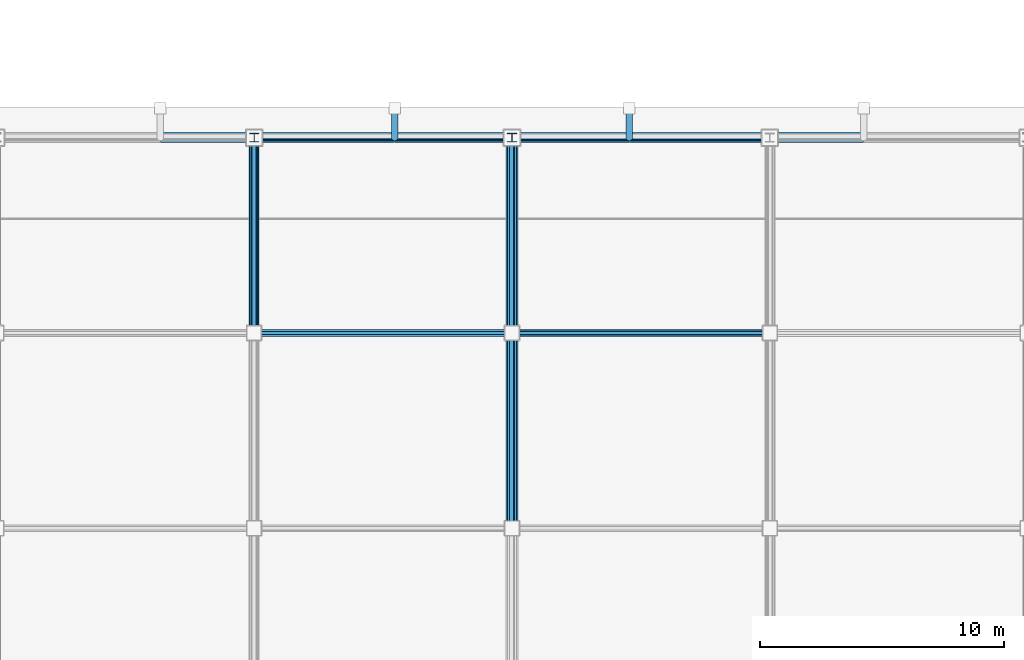
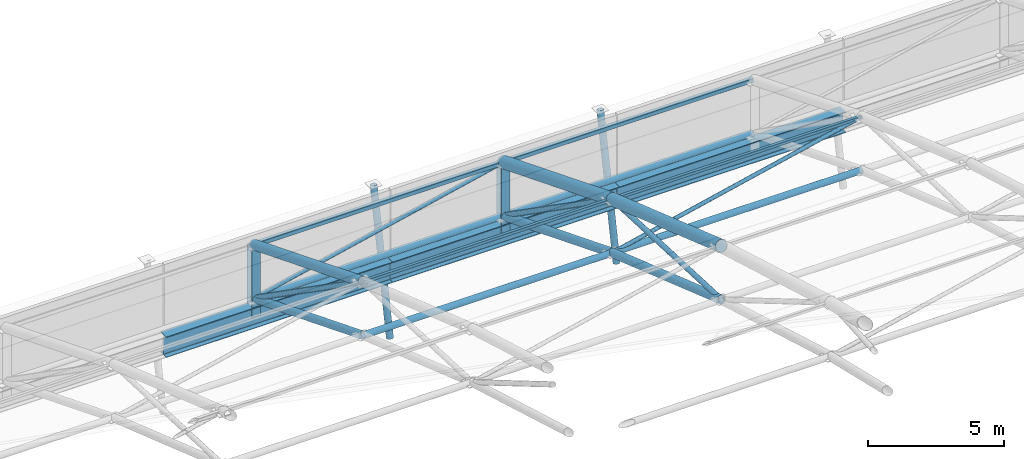
# One storey, part 23 of 42: 23 members, 3 beams.
"""IFC4 building model written with IfcOpenShell, lengths in metres."""

from ifc_helpers import new_model, si_unit, direction, frame, origin, origin_2d, place, context, subcontext, project, spatial, hollow_rectangle, hollow_circle, i_section, extrude, material, material_profile, profile_set, type_object, element, save


model = new_model("IFC4")

# Units and contexts
model_context = context("Model", 3, precision=1e-05, world=origin(), true_north=direction((0.0, 1.0)))
body_context = subcontext(model_context, "Body", "Model", "MODEL_VIEW")
ifc_project = project(units=[si_unit("LENGTHUNIT", "METRE"), si_unit("AREAUNIT", "SQUARE_METRE"), si_unit("VOLUMEUNIT", "CUBIC_METRE"), si_unit("PLANEANGLEUNIT", "RADIAN"), si_unit("MASSUNIT", "GRAM", prefix="KILO")], contexts=[model_context])

# Site, building, storey
site_placement = place(None, origin())
site = spatial("IfcSite", under=ifc_project, at=site_placement, CompositionType="ELEMENT")
building_placement = place(site_placement, origin())
building = spatial("IfcBuilding", under=site, at=building_placement, Name="Caelomonte Colonnade Arena", CompositionType="ELEMENT")
storey_placement = place(building_placement, frame((0.0, 0.0, 28.199951171875)))
storey = spatial("IfcBuildingStorey", under=building, at=storey_placement, Name="RF", CompositionType="ELEMENT", Elevation=28.199951171875)

# Beams
ifc_material_1 = material(Name="Wide-flange steel ASTM A992 Grade 50", Category="steel")
ifc_material_profile_1 = material_profile(ifc_material_1, i_section(OverallWidth=0.418212890625, OverallDepth=0.927001953125, WebThickness=0.019287109375, FlangeThickness=0.031982421875, FilletRadius=0.024169921875, at=origin_2d()), Name="W36X231")
ifc_profile_set_1 = profile_set([ifc_material_profile_1], Name="Wide-flange steel ASTM A992 Grade 50")
beam_type = type_object("IfcBeamType", Name="STR-BM-EAVES1", PredefinedType="SPANDREL", material=ifc_profile_set_1)
for number, where, z_axis, x_axis, name in (
    (1, (96.00830078125, 115.199951171875, -0.743408203125), (1.0, 0.0, 0.0), (0.0, 1.0, 0.0), "RF girder BMX-RF-0960-1152"),
    (2, (105.608154296875, 115.199951171875, -0.743408203125), (1.0, 0.0, 0.0), (0.0, 1.0, 0.0), "RF girder BMX-RF-1056-1152"),
    (3, (115.208251953125, 115.199951171875, -0.743408203125), (1.0, 0.0, 0.0), (0.0, 1.0, 0.0), "RF girder BMX-RF-1152-1152"),
):
    element("IfcBeam", number, at=place(storey_placement, frame(where, z_axis=z_axis, x_axis=x_axis)), inside=storey, type_object=beam_type, Name=name, PredefinedType="SPANDREL", context=body_context, shape_type="SweptSolid", body=[
        extrude(i_section(OverallWidth=0.418212890625, OverallDepth=0.927001953125, WebThickness=0.019287109375, FlangeThickness=0.031982421875, FilletRadius=0.024169921875, at=origin_2d()), origin(), (0.0, 0.0, 1.0), 9.58349609375),
    ])

# Members
ifc_material_profile_2 = material_profile(ifc_material_1, i_section(OverallWidth=0.368896484375, OverallDepth=0.356201171875, WebThickness=0.01123046875, FlangeThickness=0.01806640625, FilletRadius=0.01513671875, at=origin_2d()), Name="W14X90")
ifc_profile_set_2 = profile_set([ifc_material_profile_2], Name="Wide-flange steel ASTM A992 Grade 50")
member_type_1 = type_object("IfcMemberType", Name="STR-CAT-STR", PredefinedType="STRUT", material=ifc_profile_set_2)
for number, where, z_axis, x_axis, name in (
    (4, (99.840087890625, 115.199951171875, -0.699951171875), (0.0, 0.0, 1.0), (1.0, 0.0, 0.0), "Roof truss eaves bearing post 4-12"),
    (5, (110.39990234375, 115.199951171875, -0.699951171875), (0.0, 0.0, 1.0), (1.0, 0.0, 0.0), "Roof truss eaves bearing post 5-12"),
):
    element("IfcMember", number, at=place(storey_placement, frame(where, z_axis=z_axis, x_axis=x_axis)), inside=storey, type_object=member_type_1, Name=name, PredefinedType="STRUT", context=body_context, shape_type="SweptSolid", body=[
        extrude(i_section(OverallWidth=0.368896484375, OverallDepth=0.356201171875, WebThickness=0.01123046875, FlangeThickness=0.01806640625, FilletRadius=0.01513671875, at=origin_2d()), origin(), (0.0, 0.0, 1.0), 3.10009765625),
    ])
ifc_material_2 = material(Name="Steel ASTM A500 Grade C", Category="steel")
ifc_material_profile_3 = material_profile(ifc_material_2, hollow_circle(Radius=0.177734375, WallThickness=0.0126953125, at=origin_2d()), Name="CHS355.6X12.7")
ifc_profile_set_3 = profile_set([ifc_material_profile_3], Name="Steel ASTM A500 Grade C")
member_type_2 = type_object("IfcMemberType", Name="STR-SF-BC1", PredefinedType="CHORD", material=ifc_profile_set_3)
member_1_placement = place(storey_placement, frame((110.39990234375, 99.201904296875, 5.935302734375), z_axis=(0.0, 0.945655527912, -0.325170143971), x_axis=(-1.0, 0.0, 0.0)))
element("IfcMember", 6, at=member_1_placement, inside=storey, type_object=member_type_2, Name="Arched roof truss bottom chord 5-10", PredefinedType="CHORD", context=body_context, shape_type="SweptSolid", body=[
    extrude(hollow_circle(Radius=0.177734375, WallThickness=0.0126953125, at=origin_2d()), origin(), (0.0, 0.0, 1.0), 8.45556640625),
])
member_2_placement = place(storey_placement, frame((110.39990234375, 107.201904296875, 3.184326171875), z_axis=(0.0, 0.929070225575, -0.36990338732), x_axis=(-1.0, 0.0, 0.0)))
element("IfcMember", 7, at=member_2_placement, inside=storey, type_object=member_type_2, Name="Arched roof truss bottom chord 5-11", PredefinedType="CHORD", context=body_context, shape_type="SweptSolid", body=[
    extrude(hollow_circle(Radius=0.177734375, WallThickness=0.0126953125, at=origin_2d()), origin(), (0.0, 0.0, 1.0), 8.6064453125),
])
ifc_material_profile_4 = material_profile(ifc_material_2, hollow_circle(Radius=0.161865234375, WallThickness=0.010009765625, at=origin_2d()), Name="CHS323.9X10.0")
ifc_profile_set_4 = profile_set([ifc_material_profile_4], Name="Steel ASTM A500 Grade C")
member_type_3 = type_object("IfcMemberType", Name="STR-SF-BC2", PredefinedType="CHORD", material=ifc_profile_set_4)
member_3_placement = place(storey_placement, frame((99.840087890625, 107.201904296875, 3.184326171875), z_axis=(0.0, 0.929070225575, -0.36990338732), x_axis=(-1.0, 0.0, 0.0)))
element("IfcMember", 8, at=member_3_placement, inside=storey, type_object=member_type_3, Name="Arched roof truss bottom chord 4-11", PredefinedType="CHORD", context=body_context, shape_type="SweptSolid", body=[
    extrude(hollow_circle(Radius=0.161865234375, WallThickness=0.010009765625, at=origin_2d()), origin(), (0.0, 0.0, 1.0), 8.6064453125),
])
ifc_material_profile_5 = material_profile(ifc_material_2, hollow_rectangle(XDim=0.177734375, YDim=0.177734375, WallThickness=0.008056640625, InnerFilletRadius=0.008056640625, OuterFilletRadius=0.01611328125, at=origin_2d()), Name="HSS178X178X8.0")
ifc_profile_set_5 = profile_set([ifc_material_profile_5], Name="Steel ASTM A500 Grade C")
member_type_4 = type_object("IfcMemberType", Name="STR-SF-PUR1", PredefinedType="PURLIN", material=ifc_profile_set_5)
for number, where, z_axis, x_axis, name in (
    (9, (99.842041015625, 115.199951171875, 2.400146484375), (1.0, 0.0, 0.0), (0.0, 1.0, 0.0), "Arched roof purlin 4-12"),
    (10, (110.402099609375, 115.199951171875, 2.400146484375), (1.0, 0.0, 0.0), (0.0, 1.0, 0.0), "Arched roof purlin 5-12"),
):
    element("IfcMember", number, at=place(storey_placement, frame(where, z_axis=z_axis, x_axis=x_axis)), inside=storey, type_object=member_type_4, Name=name, PredefinedType="PURLIN", context=body_context, shape_type="SweptSolid", body=[
        extrude(hollow_rectangle(XDim=0.177734375, YDim=0.177734375, WallThickness=0.008056640625, InnerFilletRadius=0.008056640625, OuterFilletRadius=0.01611328125, at=origin_2d()), origin(), (0.0, 0.0, 1.0), 10.555908203125),
    ])
ifc_material_profile_6 = material_profile(ifc_material_2, hollow_rectangle(XDim=0.126953125, YDim=0.126953125, WallThickness=0.00634765625, InnerFilletRadius=0.00634765625, OuterFilletRadius=0.0126953125, at=origin_2d()), Name="HSS127X127X6.4")
ifc_profile_set_6 = profile_set([ifc_material_profile_6], Name="Steel ASTM A500 Grade C")
member_type_5 = type_object("IfcMemberType", Name="STR-SF-PUR3", PredefinedType="PURLIN", material=ifc_profile_set_6)
for number, where, z_axis, x_axis, name in (
    (11, (99.842041015625, 107.199951171875, 5.5849609375), (1.0, 0.0, 0.0), (0.0, 1.0, 0.0), "Arched roof purlin 4-11"),
    (12, (110.402099609375, 107.199951171875, 5.5849609375), (1.0, 0.0, 0.0), (0.0, 1.0, 0.0), "Arched roof purlin 5-11"),
):
    element("IfcMember", number, at=place(storey_placement, frame(where, z_axis=z_axis, x_axis=x_axis)), inside=storey, type_object=member_type_5, Name=name, PredefinedType="PURLIN", context=body_context, shape_type="SweptSolid", body=[
        extrude(hollow_rectangle(XDim=0.126953125, YDim=0.126953125, WallThickness=0.00634765625, InnerFilletRadius=0.00634765625, OuterFilletRadius=0.0126953125, at=origin_2d()), origin(), (0.0, 0.0, 1.0), 10.555908203125),
    ])
ifc_material_profile_7 = material_profile(ifc_material_2, hollow_circle(Radius=0.25390625, WallThickness=0.015869140625, at=origin_2d()), Name="CHS508X15.9")
ifc_profile_set_7 = profile_set([ifc_material_profile_7], Name="Steel ASTM A500 Grade C")
member_type_6 = type_object("IfcMemberType", Name="STR-SF-TC1", PredefinedType="CHORD", material=ifc_profile_set_7)
member_4_placement = place(storey_placement, frame((110.39990234375, 99.201904296875, 8.33544921875), z_axis=(0.0, 0.945646649159, -0.325195963895), x_axis=(-1.0, 0.0, 0.0)))
element("IfcMember", 13, at=member_4_placement, inside=storey, type_object=member_type_6, Name="Arched roof truss top chord 5-10", PredefinedType="CHORD", context=body_context, shape_type="SweptSolid", body=[
    extrude(hollow_circle(Radius=0.25390625, WallThickness=0.015869140625, at=origin_2d()), origin(), (0.0, 0.0, 1.0), 8.455810546875),
])
member_5_placement = place(storey_placement, frame((110.39990234375, 107.201904296875, 5.584228515625), z_axis=(0.0, 0.929070225575, -0.36990338732), x_axis=(-1.0, 0.0, 0.0)))
element("IfcMember", 14, at=member_5_placement, inside=storey, type_object=member_type_6, Name="Arched roof truss top chord 5-11", PredefinedType="CHORD", context=body_context, shape_type="SweptSolid", body=[
    extrude(hollow_circle(Radius=0.25390625, WallThickness=0.015869140625, at=origin_2d()), origin(), (0.0, 0.0, 1.0), 8.6064453125),
])
ifc_material_profile_8 = material_profile(ifc_material_2, hollow_circle(Radius=0.203125, WallThickness=0.0126953125, at=origin_2d()), Name="CHS406.4X12.7")
ifc_profile_set_8 = profile_set([ifc_material_profile_8], Name="Steel ASTM A500 Grade C")
member_type_7 = type_object("IfcMemberType", Name="STR-SF-TC2", PredefinedType="CHORD", material=ifc_profile_set_8)
member_6_placement = place(storey_placement, frame((99.840087890625, 107.201904296875, 5.584228515625), z_axis=(0.0, 0.929070225575, -0.36990338732), x_axis=(-1.0, 0.0, 0.0)))
element("IfcMember", 15, at=member_6_placement, inside=storey, type_object=member_type_7, Name="Arched roof truss top chord 4-11", PredefinedType="CHORD", context=body_context, shape_type="SweptSolid", body=[
    extrude(hollow_circle(Radius=0.203125, WallThickness=0.0126953125, at=origin_2d()), origin(), (0.0, 0.0, 1.0), 8.6064453125),
])
ifc_material_profile_9 = material_profile(ifc_material_2, hollow_circle(Radius=0.136474609375, WallThickness=0.00927734375, at=origin_2d()), Name="CHS273.0X9.3")
ifc_profile_set_9 = profile_set([ifc_material_profile_9], Name="Steel ASTM A500 Grade C")
member_type_8 = type_object("IfcMemberType", Name="STR-SF-TIE", PredefinedType="STRUT", material=ifc_profile_set_9)
for number, where, z_axis, x_axis, name in (
    (16, (99.842041015625, 107.199951171875, 3.18505859375), (1.0, 0.0, 0.0), (0.0, 1.0, 0.0), "Space frame roof tie strut 4-11"),
    (17, (99.842041015625, 115.199951171875, 0.0), (1.0, 0.0, 0.0), (0.0, 1.0, 0.0), "Space frame roof tie strut 4-12"),
    (18, (110.402099609375, 107.199951171875, 3.18505859375), (1.0, 0.0, 0.0), (0.0, 1.0, 0.0), "Space frame roof tie strut 5-11"),
    (19, (110.402099609375, 115.199951171875, 0.0), (1.0, 0.0, 0.0), (0.0, 1.0, 0.0), "Space frame roof tie strut 5-12"),
):
    element("IfcMember", number, at=place(storey_placement, frame(where, z_axis=z_axis, x_axis=x_axis)), inside=storey, type_object=member_type_8, Name=name, PredefinedType="STRUT", context=body_context, shape_type="SweptSolid", body=[
        extrude(hollow_circle(Radius=0.136474609375, WallThickness=0.00927734375, at=origin_2d()), origin(), (0.0, 0.0, 1.0), 10.555908203125),
    ])
for number, where, z_axis, x_axis, name in (
    (20, (105.60009765625, 115.200439453125, -3.7978515625), (0.0, 0.19151035942, 0.981490592026), (-1.0, 0.0, 0.0), "Roof eaves overhang inclined strut 16"),
    (21, (115.199951171875, 115.200439453125, -3.7978515625), (0.0, 0.19151035942, 0.981490592026), (-1.0, 0.0, 0.0), "Roof eaves overhang inclined strut 18"),
):
    element("IfcMember", number, at=place(storey_placement, frame(where, z_axis=z_axis, x_axis=x_axis)), inside=storey, type_object=member_type_8, Name=name, PredefinedType="STRUT", context=body_context, shape_type="SweptSolid", body=[
        extrude(hollow_circle(Radius=0.136474609375, WallThickness=0.00927734375, at=origin_2d()), origin(), (0.0, 0.0, 1.0), 6.261962890625),
    ])
ifc_material_profile_10 = material_profile(ifc_material_2, hollow_circle(Radius=0.109619140625, WallThickness=0.00830078125, at=origin_2d()), Name="CHS219.1X8.2")
ifc_profile_set_10 = profile_set([ifc_material_profile_10], Name="Steel ASTM A500 Grade C")
member_type_9 = type_object("IfcMemberType", Name="STR-SF-WEB1", PredefinedType="BRACE", material=ifc_profile_set_10)
member_7_placement = place(storey_placement, frame((99.840087890625, 107.20166015625, 5.583984375), z_axis=(0.0, 0.819954536619, -0.572428648722), x_axis=(-1.0, 0.0, 0.0)))
element("IfcMember", 22, at=member_7_placement, inside=storey, type_object=member_type_9, Name="Space frame roof truss web diagonal 4-11", PredefinedType="BRACE", context=body_context, shape_type="SweptSolid", body=[
    extrude(hollow_circle(Radius=0.109619140625, WallThickness=0.00830078125, at=origin_2d()), origin(), (0.0, 0.0, 1.0), 9.752685546875),
])
member_8_placement = place(storey_placement, frame((110.39990234375, 99.201904296875, 5.93603515625), z_axis=(0.0, 0.999038871579, -0.043833013509), x_axis=(-1.0, 0.0, 0.0)))
element("IfcMember", 23, at=member_8_placement, inside=storey, type_object=member_type_9, Name="Space frame roof truss web diagonal 5-10", PredefinedType="BRACE", context=body_context, shape_type="SweptSolid", body=[
    extrude(hollow_circle(Radius=0.109619140625, WallThickness=0.00830078125, at=origin_2d()), origin(), (0.0, 0.0, 1.0), 8.00390625),
])
member_9_placement = place(storey_placement, frame((110.39990234375, 107.20166015625, 5.583984375), z_axis=(0.0, 0.819954536619, -0.572428648722), x_axis=(-1.0, 0.0, 0.0)))
element("IfcMember", 24, at=member_9_placement, inside=storey, type_object=member_type_9, Name="Space frame roof truss web diagonal 5-11", PredefinedType="BRACE", context=body_context, shape_type="SweptSolid", body=[
    extrude(hollow_circle(Radius=0.109619140625, WallThickness=0.00830078125, at=origin_2d()), origin(), (0.0, 0.0, 1.0), 9.752685546875),
])
ifc_material_profile_11 = material_profile(ifc_material_2, hollow_circle(Radius=0.084228515625, WallThickness=0.007080078125, at=origin_2d()), Name="CHS168.3X7.1")
ifc_profile_set_11 = profile_set([ifc_material_profile_11], Name="Steel ASTM A500 Grade C")
member_type_10 = type_object("IfcMemberType", Name="STR-SF-WEB2", PredefinedType="BRACE", material=ifc_profile_set_11)
for number, where, z_axis, x_axis, name in (
    (25, (99.842041015625, 115.199951171875, 0.00048828125), (0.975130861858, 0.0, 0.221629876714), (0.0, 1.0, 0.0), "Space frame transverse diagonal 4-12"),
    (26, (110.402099609375, 107.199951171875, 3.185546875), (0.975130861858, 0.0, 0.221629876714), (0.0, 1.0, 0.0), "Space frame transverse diagonal 5-11"),
):
    element("IfcMember", number, at=place(storey_placement, frame(where, z_axis=z_axis, x_axis=x_axis)), inside=storey, type_object=member_type_10, Name=name, PredefinedType="BRACE", context=body_context, shape_type="SweptSolid", body=[
        extrude(hollow_circle(Radius=0.084228515625, WallThickness=0.007080078125, at=origin_2d()), origin(), (0.0, 0.0, 1.0), 10.8251953125),
    ])

save(model, "model.ifc")
